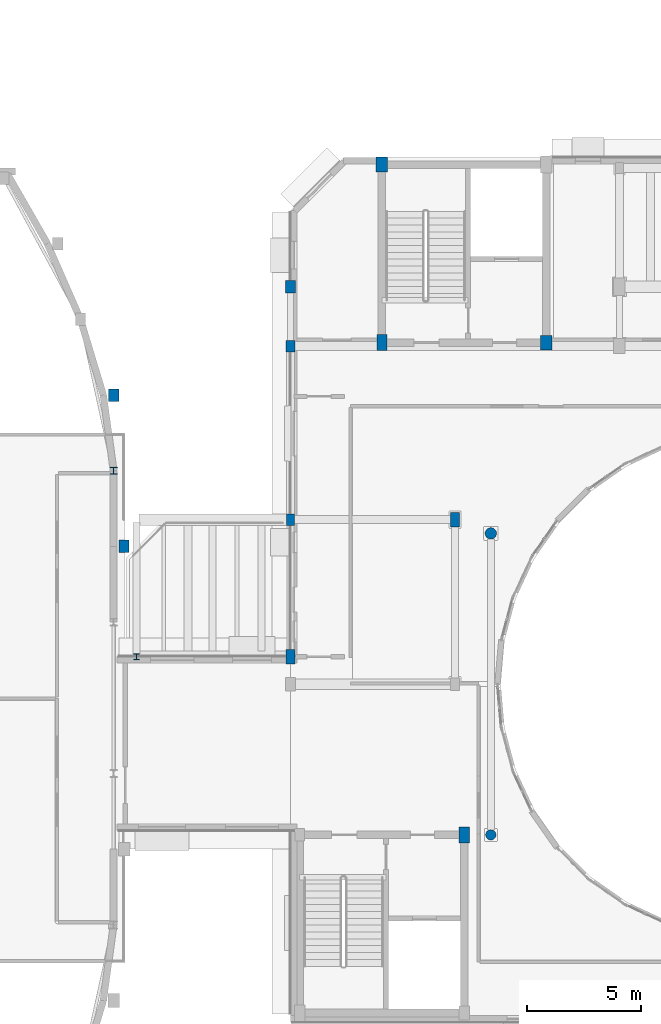
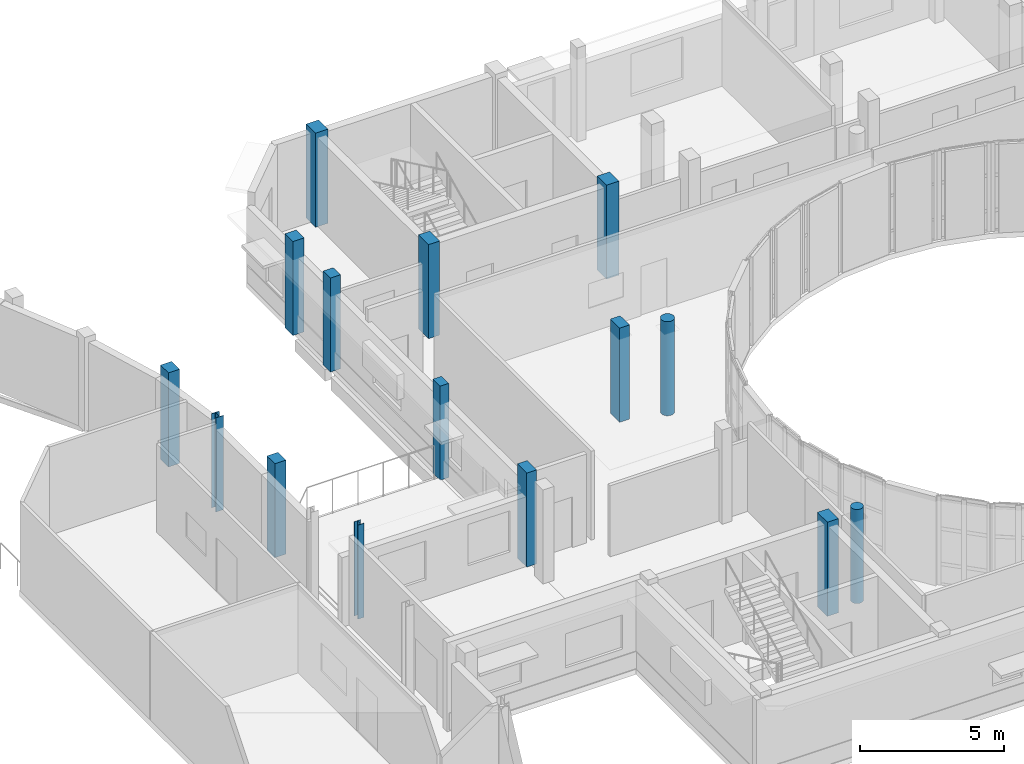
# One storey, part 6 of 92: 15 columns.
"""IFC4 building model written with IfcOpenShell, lengths in metres."""

from ifc_helpers import new_model, si_unit, direction, frame, origin, origin_2d, place, context, subcontext, project, spatial, rectangle, circle, i_section, extrude, material, material_profile, profile_set, type_object, element, save


model = new_model("IFC4")

# Units and contexts
model_context = context("Model", 3, precision=1e-05, world=origin(), true_north=direction((0.0, 1.0)))
body_context = subcontext(model_context, "Body", "Model", "MODEL_VIEW")
ifc_project = project(units=[si_unit("LENGTHUNIT", "METRE"), si_unit("AREAUNIT", "SQUARE_METRE"), si_unit("VOLUMEUNIT", "CUBIC_METRE"), si_unit("PLANEANGLEUNIT", "RADIAN"), si_unit("MASSUNIT", "GRAM", prefix="KILO")], contexts=[model_context])

# Site, building, storey
site_placement = place(None, origin())
site = spatial("IfcSite", under=ifc_project, at=site_placement, CompositionType="ELEMENT")
building_placement = place(site_placement, origin())
building = spatial("IfcBuilding", under=site, at=building_placement, Name="Kelanivale Promenade Academy", CompositionType="ELEMENT")
storey_placement = place(building_placement, frame((0.0, 0.0, 8.199951171875)))
storey = spatial("IfcBuildingStorey", under=building, at=storey_placement, Name="L02", CompositionType="ELEMENT", Elevation=8.199951171875)

# Columns
ifc_material_1 = material(Name="Concrete C40/50", Category="concrete")
ifc_material_profile_1 = material_profile(ifc_material_1, rectangle(XDim=0.39990234375, YDim=0.64990234375, at=origin_2d()), Name="RC-COL 400x650")
ifc_profile_set_1 = profile_set([ifc_material_profile_1], Name="Concrete C40/50")
column_type_1 = type_object("IfcColumnType", Name="C-08 RC-COL 400x650", PredefinedType="COLUMN", material=ifc_profile_set_1)
for number, where, z_axis, x_axis, name in (
    (1, (43.199951171875, 58.0, 0.0), (0.0, 0.0, 1.0), (1.0, 0.0, 0.0), "Column C-08 at (43.2, 58.0) L02"),
    (2, (50.39990234375, 64.0, 0.0), (0.0, 0.0, 1.0), (1.0, 0.0, 0.0), "Column C-08 at (50.4, 64.0) L02"),
):
    element("IfcColumn", number, at=place(storey_placement, frame(where, z_axis=z_axis, x_axis=x_axis)), inside=storey, type_object=column_type_1, Name=name, PredefinedType="COLUMN", context=body_context, shape_type="SweptSolid", body=[
        extrude(rectangle(XDim=0.39990234375, YDim=0.64990234375, at=origin_2d()), origin(), (0.0, 0.0, 1.0), 4.0),
    ])
ifc_material_profile_2 = material_profile(ifc_material_1, rectangle(XDim=0.449951171875, YDim=0.699951171875, at=origin_2d()), Name="RC-COL 450x700")
ifc_profile_set_2 = profile_set([ifc_material_profile_2], Name="Concrete C40/50")
column_type_2 = type_object("IfcColumnType", Name="C-10 RC-COL 450x700", PredefinedType="COLUMN", material=ifc_profile_set_2)
for number, where, z_axis, x_axis, name in (
    (3, (47.199951171875, 71.75, 0.0), (0.0, 0.0, 1.0), (1.0, 0.0, 0.0), "Column C-10 at (47.2, 71.8) L02"),
    (4, (50.800048828125, 50.199951171875, 0.0), (0.0, 0.0, 1.0), (1.0, 0.0, 0.0), "Column C-10 at (50.8, 50.2) L02"),
):
    element("IfcColumn", number, at=place(storey_placement, frame(where, z_axis=z_axis, x_axis=x_axis)), inside=storey, type_object=column_type_2, Name=name, PredefinedType="COLUMN", context=body_context, shape_type="SweptSolid", body=[
        extrude(rectangle(XDim=0.449951171875, YDim=0.699951171875, at=origin_2d()), origin(), (0.0, 0.0, 1.0), 4.0),
    ])
ifc_material_profile_3 = material_profile(ifc_material_1, rectangle(XDim=0.5, YDim=0.64990234375, at=origin_2d()), Name="RC-COL 500x650")
ifc_profile_set_3 = profile_set([ifc_material_profile_3], Name="Concrete C40/50")
column_type_3 = type_object("IfcColumnType", Name="C-11 RC-COL 500x650", PredefinedType="COLUMN", material=ifc_profile_set_3)
for number, where, z_axis, x_axis, name in (
    (5, (47.199951171875, 79.550048828125, 0.0), (0.0, 0.0, 1.0), (1.0, 0.0, 0.0), "Column C-11 at (47.2, 79.5) L02"),
    (6, (54.39990234375, 71.75, 0.0), (0.0, 0.0, 1.0), (1.0, 0.0, 0.0), "Column C-11 at (54.4, 71.8) L02"),
):
    element("IfcColumn", number, at=place(storey_placement, frame(where, z_axis=z_axis, x_axis=x_axis)), inside=storey, type_object=column_type_3, Name=name, PredefinedType="COLUMN", context=body_context, shape_type="SweptSolid", body=[
        extrude(rectangle(XDim=0.5, YDim=0.64990234375, at=origin_2d()), origin(), (0.0, 0.0, 1.0), 4.0),
    ])
ifc_material_profile_4 = material_profile(ifc_material_1, circle(Radius=0.22509765625, at=origin_2d()), Name="RC-COL D450")
ifc_profile_set_4 = profile_set([ifc_material_profile_4], Name="Concrete C40/50")
column_type_4 = type_object("IfcColumnType", Name="CC-19 RC-COL D450", PredefinedType="COLUMN", material=ifc_profile_set_4)
column_1_placement = place(storey_placement, frame((51.968017578125, 50.199951171875, 0.0), z_axis=(0.0, 0.0, 1.0), x_axis=(1.0, 0.0, 0.0)))
element("IfcColumn", 7, at=column_1_placement, inside=storey, type_object=column_type_4, Name="Column CC-19 at (52.0, 50.2) L02", PredefinedType="COLUMN", context=body_context, shape_type="SweptSolid", body=[
    extrude(circle(Radius=0.22509765625, at=origin_2d()), origin(), (0.0, 0.0, 1.0), 4.0),
])
ifc_material_profile_5 = material_profile(ifc_material_1, circle(Radius=0.25, at=origin_2d()), Name="RC-COL D500")
ifc_profile_set_5 = profile_set([ifc_material_profile_5], Name="Concrete C40/50")
column_type_5 = type_object("IfcColumnType", Name="CC-20 RC-COL D500", PredefinedType="COLUMN", material=ifc_profile_set_5)
column_2_placement = place(storey_placement, frame((51.968017578125, 63.39990234375, 0.0), z_axis=(0.0, 0.0, 1.0), x_axis=(1.0, 0.0, 0.0)))
element("IfcColumn", 8, at=column_2_placement, inside=storey, type_object=column_type_5, Name="Column CC-20 at (52.0, 63.4) L02", PredefinedType="COLUMN", context=body_context, shape_type="SweptSolid", body=[
    extrude(circle(Radius=0.25, at=origin_2d()), origin(), (0.0, 0.0, 1.0), 4.0),
])
ifc_material_profile_6 = material_profile(ifc_material_1, rectangle(XDim=0.35009765625, YDim=0.5, at=origin_2d()), Name="RC-PIL 350x500")
ifc_profile_set_6 = profile_set([ifc_material_profile_6], Name="Concrete C40/50")
column_type_6 = type_object("IfcColumnType", Name="PL-15 RC-PIL 350x500", PredefinedType="PILASTER", material=ifc_profile_set_6)
column_3_placement = place(storey_placement, frame((43.199951171875, 64.0, 0.0), z_axis=(0.0, 0.0, 1.0), x_axis=(1.0, 0.0, 0.0)))
element("IfcColumn", 9, at=column_3_placement, inside=storey, type_object=column_type_6, Name="Column PL-15 at (43.2, 64.0) L02", PredefinedType="PILASTER", context=body_context, shape_type="SweptSolid", body=[
    extrude(rectangle(XDim=0.35009765625, YDim=0.5, at=origin_2d()), origin(), (0.0, 0.0, 1.0), 4.0),
])
ifc_material_profile_7 = material_profile(ifc_material_1, rectangle(XDim=0.39990234375, YDim=0.5, at=origin_2d()), Name="RC-PIL 400x500")
ifc_profile_set_7 = profile_set([ifc_material_profile_7], Name="Concrete C40/50")
column_type_7 = type_object("IfcColumnType", Name="PL-16 RC-PIL 400x500", PredefinedType="PILASTER", material=ifc_profile_set_7)
column_4_placement = place(storey_placement, frame((43.199951171875, 71.60009765625, 0.0), z_axis=(0.0, 0.0, 1.0), x_axis=(1.0, 0.0, 0.0)))
element("IfcColumn", 10, at=column_4_placement, inside=storey, type_object=column_type_7, Name="Column PL-16 at (43.2, 71.6) L02", PredefinedType="PILASTER", context=body_context, shape_type="SweptSolid", body=[
    extrude(rectangle(XDim=0.39990234375, YDim=0.5, at=origin_2d()), origin(), (0.0, 0.0, 1.0), 4.0),
])
ifc_material_profile_8 = material_profile(ifc_material_1, rectangle(XDim=0.449951171875, YDim=0.550048828125, at=origin_2d()), Name="RC-PIL 450x550")
ifc_profile_set_8 = profile_set([ifc_material_profile_8], Name="Concrete C40/50")
column_type_8 = type_object("IfcColumnType", Name="PL-17 RC-PIL 450x550", PredefinedType="PILASTER", material=ifc_profile_set_8)
for number, where, z_axis, x_axis, name in (
    (11, (35.4599609375, 69.45703125, 0.0), (0.0, 0.0, 1.0), (1.0, 0.0, 0.0), "Column PL-17 at (35.5, 69.5) L02"),
    (12, (35.909912109375, 62.8291015625, 0.0), (0.0, 0.0, 1.0), (1.0, 0.0, 0.0), "Column PL-17 at (35.9, 62.8) L02"),
    (13, (43.199951171875, 74.199951171875, 0.0), (0.0, 0.0, 1.0), (1.0, 0.0, 0.0), "Column PL-17 at (43.2, 74.2) L02"),
):
    element("IfcColumn", number, at=place(storey_placement, frame(where, z_axis=z_axis, x_axis=x_axis)), inside=storey, type_object=column_type_8, Name=name, PredefinedType="PILASTER", context=body_context, shape_type="SweptSolid", body=[
        extrude(rectangle(XDim=0.449951171875, YDim=0.550048828125, at=origin_2d()), origin(), (0.0, 0.0, 1.0), 4.0),
    ])
ifc_material_2 = material(Name="Steel S355", Category="steel")
ifc_material_profile_9 = material_profile(ifc_material_2, i_section(OverallWidth=0.254638671875, OverallDepth=0.254150390625, WebThickness=0.008544921875, FlangeThickness=0.01416015625, FilletRadius=0.0126953125, at=origin_2d()), Name="UC 254x254x73")
ifc_profile_set_9 = profile_set([ifc_material_profile_9], Name="Steel S355")
column_type_9 = type_object("IfcColumnType", Name="SC-02 UC 254x254x73", PredefinedType="COLUMN", material=ifc_profile_set_9)
column_5_placement = place(storey_placement, frame((36.449951171875, 58.0, 0.0), z_axis=(0.0, 0.0, 1.0), x_axis=(1.0, 0.0, 0.0)))
element("IfcColumn", 14, at=column_5_placement, inside=storey, type_object=column_type_9, Name="Column SC-02 at (36.5, 58.0) L02", PredefinedType="COLUMN", context=body_context, shape_type="SweptSolid", body=[
    extrude(i_section(OverallWidth=0.254638671875, OverallDepth=0.254150390625, WebThickness=0.008544921875, FlangeThickness=0.01416015625, FilletRadius=0.0126953125, at=origin_2d()), origin(), (0.0, 0.0, 1.0), 4.0),
])
ifc_material_profile_10 = material_profile(ifc_material_2, i_section(OverallWidth=0.307373046875, OverallDepth=0.314453125, WebThickness=0.011962890625, FlangeThickness=0.018798828125, FilletRadius=0.01513671875, at=origin_2d()), Name="UC 305x305x118")
ifc_profile_set_10 = profile_set([ifc_material_profile_10], Name="Steel S355")
column_type_10 = type_object("IfcColumnType", Name="SC-04 UC 305x305x118", PredefinedType="COLUMN", material=ifc_profile_set_10)
column_6_placement = place(storey_placement, frame((35.449951171875, 66.14306640625, 0.0), z_axis=(0.0, 0.0, 1.0), x_axis=(1.0, 0.0, 0.0)))
element("IfcColumn", 15, at=column_6_placement, inside=storey, type_object=column_type_10, Name="Column SC-04 at (35.5, 66.1) L02", PredefinedType="COLUMN", context=body_context, shape_type="SweptSolid", body=[
    extrude(i_section(OverallWidth=0.307373046875, OverallDepth=0.314453125, WebThickness=0.011962890625, FlangeThickness=0.018798828125, FilletRadius=0.01513671875, at=origin_2d()), origin(), (0.0, 0.0, 1.0), 4.0),
])

save(model, "model.ifc")
